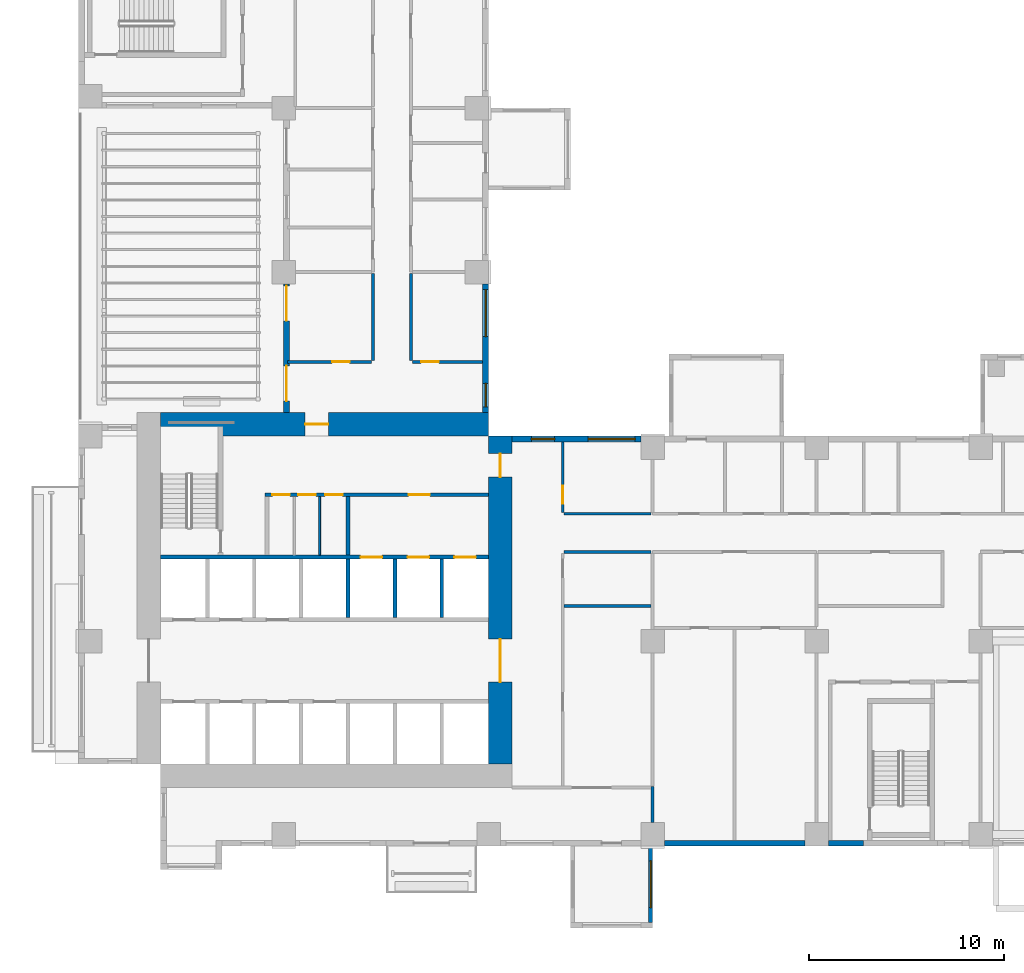
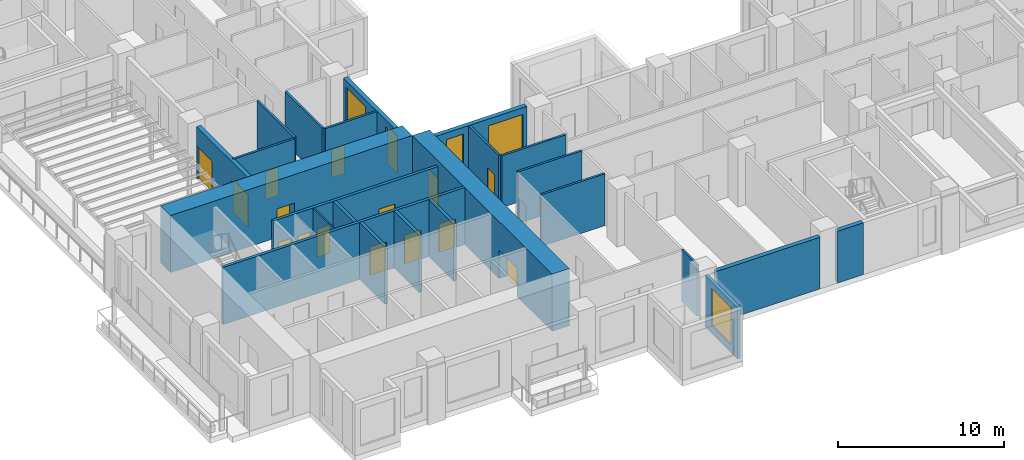
# One storey, part 5 of 17: 24 walls, 15 doors, 5 windows, 20 openings.
"""IFC4 building model written with IfcOpenShell, lengths in metres."""

import ifcopenshell
import ifcopenshell.guid

model = None  # the IFC model being written
_history = None  # IfcOwnerHistory: only IFC2X3 demands one
_inside = {}  # id of a spatial element -> (the spatial element, [elements in it])
_under = {}  # id of a project, library or spatial element -> (it, [spatial elements below it])
_declared = {}  # id of a project -> (the project, [libraries it declares])
_typed = {}  # id of a type object -> (the type object, [elements of that type])
_made_of = {}  # id of a material, layer set ... -> (it, [elements and type objects made of it])


def new_model(schema):
    """Start an empty IFC model of exactly this schema.

    Asked for "IFC4X3", IfcOpenShell would pick the latest addendum, in which some entities
    have other attributes; the version numbers below select the first issue.
    IFC2X3 requires an IfcOwnerHistory on every rooted entity: one is made here for all.
    """
    global model, _history
    if schema == "IFC4X3":
        model = ifcopenshell.file(schema_version=(4, 3, 0, 0))
    else:
        model = ifcopenshell.file(schema=schema)
    _inside.clear()
    _under.clear()
    _declared.clear()
    _typed.clear()
    _made_of.clear()
    _history = None
    if model.schema == "IFC2X3":
        org = make("IfcOrganization", Name="unknown")
        user = make(
            "IfcPersonAndOrganization",
            ThePerson=make("IfcPerson", FamilyName="unknown"),
            TheOrganization=org,
        )
        app = make(
            "IfcApplication",
            ApplicationDeveloper=org,
            Version="unknown",
            ApplicationFullName="unknown",
            ApplicationIdentifier="unknown",
        )
        _history = make(
            "IfcOwnerHistory",
            OwningUser=user,
            OwningApplication=app,
            ChangeAction="ADDED",
            CreationDate=0,
        )
    return model


def make(cls, **values):
    """One entity of the class cls with the attributes given. An attribute that is None is left unset."""
    return model.create_entity(
        cls, **{name: value for name, value in values.items() if value is not None}
    )


def rooted(cls, **values):
    """An entity with a GlobalId (a new one), such as an element, a storey or a relation."""
    return make(cls, GlobalId=ifcopenshell.guid.new(), OwnerHistory=_history, **values)


def si_unit(unit_type, name, prefix=None):
    """IfcSIUnit, for example si_unit("LENGTHUNIT", "METRE", prefix="MILLI")."""
    return make("IfcSIUnit", UnitType=unit_type, Prefix=prefix, Name=name)


def assignment(units):
    """IfcUnitAssignment: the units of a project."""
    return None if units is None else make("IfcUnitAssignment", Units=units)


def point(xyz):
    """IfcCartesianPoint."""
    return None if xyz is None else make("IfcCartesianPoint", Coordinates=xyz)


def direction(xyz):
    """IfcDirection."""
    return None if xyz is None else make("IfcDirection", DirectionRatios=xyz)


def frame(location, z_axis=None, x_axis=None):
    """IfcAxis2Placement3D, a coordinate frame: its origin and axes. An axis left out is left unset."""
    return make(
        "IfcAxis2Placement3D",
        Location=point(location),
        Axis=direction(z_axis),
        RefDirection=direction(x_axis),
    )


def frame_2d(location, x_axis=None):
    """IfcAxis2Placement2D, a coordinate frame in the plane: its origin and x axis."""
    return make(
        "IfcAxis2Placement2D", Location=point(location), RefDirection=direction(x_axis)
    )


def origin():
    """The frame at (0, 0, 0) with its axes left unset."""
    return frame((0.0, 0.0, 0.0))


def place(relative_to, where):
    """IfcLocalPlacement: puts the frame where relative to a parent placement (None: the world)."""
    return make(
        "IfcLocalPlacement", PlacementRelTo=relative_to, RelativePlacement=where
    )


def context(
    kind, dimensions, precision=None, world=None, true_north=None, identifier=None
):
    """IfcGeometricRepresentationContext, for example the 3D "Model" context."""
    return make(
        "IfcGeometricRepresentationContext",
        ContextIdentifier=identifier,
        ContextType=kind,
        CoordinateSpaceDimension=dimensions,
        Precision=precision,
        WorldCoordinateSystem=world,
        TrueNorth=true_north,
    )


def subcontext(parent, identifier, kind, view, scale=None):
    """IfcGeometricRepresentationSubContext, for example "Body" below "Model"."""
    return make(
        "IfcGeometricRepresentationSubContext",
        ContextIdentifier=identifier,
        ContextType=kind,
        ParentContext=parent,
        TargetScale=scale,
        TargetView=view,
    )


def project(units=None, contexts=None):
    """IfcProject with its units and contexts."""
    return rooted(
        "IfcProject",
        Name="project",
        RepresentationContexts=contexts,
        UnitsInContext=assignment(units),
    )


def spatial(cls, under=None, at=None, **own):
    """A site, building, storey or space (cls), placed at a placement, below another one or the project."""
    s = rooted(cls, ObjectPlacement=at, **own)
    if under is not None:
        _under.setdefault(under.id(), (under, []))[1].append(s)
    return s


def profile(cls, at=None, kind="AREA", **sizes):
    """A parametric profile (cls). Its sizes go by their IFC names, for example OverallWidth=200.0."""
    return make(cls, ProfileType=kind, Position=at, **sizes)


def rectangle(**sizes):
    """IfcRectangleProfileDef."""
    return profile("IfcRectangleProfileDef", **sizes)


def extrude(swept, where, along, depth):
    """IfcExtrudedAreaSolid: the profile swept, set in the frame where, extruded along a direction by depth."""
    return make(
        "IfcExtrudedAreaSolid",
        SweptArea=swept,
        Position=where,
        ExtrudedDirection=direction(along),
        Depth=depth,
    )


def shape(context_of_items, identifier, shape_type, items):
    """IfcShapeRepresentation: the items that make up one representation, for example the "Body"."""
    return make(
        "IfcShapeRepresentation",
        ContextOfItems=context_of_items,
        RepresentationIdentifier=identifier,
        RepresentationType=shape_type,
        Items=items,
    )


def source(mapping_origin, context_of_items, identifier, shape_type, items):
    """IfcRepresentationMap: a shape defined once, which mapped items show again and again."""
    return make(
        "IfcRepresentationMap",
        MappingOrigin=mapping_origin,
        MappedRepresentation=shape(context_of_items, identifier, shape_type, items),
    )


def transform(
    local_origin,
    x_axis=None,
    y_axis=None,
    z_axis=None,
    scale=None,
    scale2=None,
    scale3=None,
    uniform=True,
):
    """IfcCartesianTransformationOperator3D, or its non-uniform kind. x_axis, y_axis, z_axis: its Axis1, 2, 3."""
    if uniform:
        return make(
            "IfcCartesianTransformationOperator3D",
            Axis1=direction(x_axis),
            Axis2=direction(y_axis),
            LocalOrigin=point(local_origin),
            Scale=scale,
            Axis3=direction(z_axis),
        )
    return make(
        "IfcCartesianTransformationOperator3DnonUniform",
        Axis1=direction(x_axis),
        Axis2=direction(y_axis),
        LocalOrigin=point(local_origin),
        Scale=scale,
        Axis3=direction(z_axis),
        Scale2=scale2,
        Scale3=scale3,
    )


def mapped(mapping_source, mapping_target):
    """IfcMappedItem: shows the shape of a source again, moved by a transform."""
    return make(
        "IfcMappedItem", MappingSource=mapping_source, MappingTarget=mapping_target
    )


def material(Name=None, Category=None):
    """IfcMaterial."""
    return make("IfcMaterial", Name=Name, Category=Category)


def layer(
    of_material, thickness, ventilated=None, Name=None, Category=None, Priority=None
):
    """IfcMaterialLayer: one layer of a wall or slab, of a material (None: an air gap)."""
    return make(
        "IfcMaterialLayer",
        Material=of_material,
        LayerThickness=thickness,
        IsVentilated=ventilated,
        Name=Name,
        Category=Category,
        Priority=Priority,
    )


def layer_set(layers, Name=None):
    """IfcMaterialLayerSet."""
    return make("IfcMaterialLayerSet", MaterialLayers=layers, LayerSetName=Name)


def made_of(thing, what):
    """Note that an element or type object is made of a material, layer set ...; save() writes the relation."""
    if what is not None:
        _made_of.setdefault(what.id(), (what, []))[1].append(thing)
    return thing


def type_object(cls, material=None, **own):
    """A type object (cls), such as IfcWallType, which elements share."""
    return made_of(rooted(cls, **own), material)


def element(
    cls,
    number,
    at=None,
    inside=None,
    cuts=None,
    type_object=None,
    material=None,
    context=None,
    identifier="Body",
    shape_type=None,
    held_by="IfcProductDefinitionShape",
    body=None,
    shapes=None,
    **own,
):
    """One element of the class cls, such as IfcWall. Its Tag is "e" and its number.

    at: its placement. inside: the storey or other place that contains it. cuts: it is an
    opening in that element (IfcRelVoidsElement). A single representation is given by context,
    identifier, shape_type and body (its items); several are given by shapes. held_by: the class
    of the entity that holds the representations. save() writes the other relations.
    """
    e = rooted(cls, Tag="e%d" % number, ObjectPlacement=at, **own)
    if body is not None:
        shapes = [shape(context, identifier, shape_type, body)]
    if shapes is not None:
        e.Representation = make(held_by, Representations=shapes)
    if inside is not None:
        _inside.setdefault(inside.id(), (inside, []))[1].append(e)
    if cuts is not None:
        rooted(
            "IfcRelVoidsElement", RelatingBuildingElement=cuts, RelatedOpeningElement=e
        )
    if type_object is not None:
        _typed.setdefault(type_object.id(), (type_object, []))[1].append(e)
    return made_of(e, material)


def fill(opening, filler):
    """IfcRelFillsElement: the door or window that sits in an opening."""
    return rooted(
        "IfcRelFillsElement",
        RelatingOpeningElement=opening,
        RelatedBuildingElement=filler,
    )


def aggregate(whole, parts):
    """IfcRelAggregates: a whole, such as a stair, and the parts it consists of."""
    return rooted("IfcRelAggregates", RelatingObject=whole, RelatedObjects=parts)


def save(model, path):
    """Write the relations noted so far, then the file.

    IfcRelAggregates (storeys below a building ...), IfcRelContainedInSpatialStructure (elements
    in a storey), IfcRelDefinesByType, IfcRelAssociatesMaterial and IfcRelDeclares: one each for
    every whole, place, type object, material and project.
    """
    for whole, parts in _under.values():
        aggregate(whole, parts)
    for where, things in _inside.values():
        rooted(
            "IfcRelContainedInSpatialStructure",
            RelatedElements=things,
            RelatingStructure=where,
        )
    for kind, things in _typed.values():
        rooted("IfcRelDefinesByType", RelatedObjects=things, RelatingType=kind)
    for what, things in _made_of.values():
        rooted("IfcRelAssociatesMaterial", RelatedObjects=things, RelatingMaterial=what)
    for by, libraries in _declared.values():
        rooted("IfcRelDeclares", RelatingContext=by, RelatedDefinitions=libraries)
    model.write(path)


model = new_model("IFC4")

# Units and contexts
model_context = context("Model", 3, precision=1e-05, world=origin(), true_north=direction((0.0, 1.0)))
body_context = subcontext(model_context, "Body", "Model", "MODEL_VIEW")
ifc_project = project(units=[si_unit("LENGTHUNIT", "METRE"), si_unit("AREAUNIT", "SQUARE_METRE"), si_unit("VOLUMEUNIT", "CUBIC_METRE"), si_unit("PLANEANGLEUNIT", "RADIAN"), si_unit("MASSUNIT", "GRAM", prefix="KILO")], contexts=[model_context])

# Site, building, storey
site_placement = place(None, origin())
site = spatial("IfcSite", under=ifc_project, at=site_placement, CompositionType="ELEMENT")
building_placement = place(site_placement, origin())
building = spatial("IfcBuilding", under=site, at=building_placement, Name="Aurelian Terraces", CompositionType="ELEMENT")
storey_placement = place(building_placement, frame((0.0, 0.0, 69.9)))
storey = spatial("IfcBuildingStorey", under=building, at=storey_placement, Name="L14", CompositionType="ELEMENT", Elevation=69.9)

# Wall, openings, doors
ifc_material_1 = material(Name="Concrete fc' 83 MPa", Category="concrete")
ifc_layer_1 = layer(ifc_material_1, 1.2)
ifc_layer_set_1 = layer_set([ifc_layer_1], Name="CORE WALL 1200 FC83")
wall_type_1 = type_object("IfcWallType", Name="CORE WALL 1200 FC83", PredefinedType="SHEAR", material=ifc_layer_set_1)
shared_shape_1 = source(origin(), body_context, "Body", "SweptSolid", [
    extrude(rectangle(XDim=16.8, YDim=1.2, at=frame_2d((8.4, 0.0))), origin(), (0.0, 0.0, 1.0), 4.2),
])
wall_1_placement = place(storey_placement, frame((21.6, 4.2, 0.0), z_axis=(0.0, 0.0, 1.0), x_axis=(0.0, 1.0, 0.0)))
wall_1 = element("IfcWall", 1, at=wall_1_placement, inside=storey, type_object=wall_type_1, Name="Core wall E L14", PredefinedType="SHEAR", context=body_context, shape_type="MappedRepresentation", body=[
    mapped(shared_shape_1, transform((0.0, 0.0, 0.0), scale=1.0)),
])
shared_shape_2 = source(origin(), body_context, "Body", "SweptSolid", [
    extrude(rectangle(XDim=2.2, YDim=2.1, at=frame_2d((1.1, 1.05))), frame((0.0, 0.61, 0.0), z_axis=(0.0, -1.0, 0.0), x_axis=(1.0, 0.0, 0.0)), (0.0, 0.0, 1.0), 1.22),
])
opening_1_placement = place(wall_1_placement, frame((4.2, 0.0, 0.0)))
opening_1 = element("IfcOpeningElement", 2, at=opening_1_placement, cuts=wall_1, Name="Opening 61721", PredefinedType="OPENING", context=body_context, shape_type="MappedRepresentation", body=[
    mapped(shared_shape_2, transform((0.0, 0.0, 0.0), scale=1.0)),
])
shared_shape_3 = source(origin(), body_context, "Body", "SweptSolid", [
    extrude(rectangle(XDim=1.2, YDim=2.1, at=frame_2d((0.6, 1.05))), frame((0.0, 0.61, 0.0), z_axis=(0.0, -1.0, 0.0), x_axis=(1.0, 0.0, 0.0)), (0.0, 0.0, 1.0), 1.22),
])
opening_2_placement = place(wall_1_placement, frame((14.7, 0.0, 0.0)))
opening_2 = element("IfcOpeningElement", 3, at=opening_2_placement, cuts=wall_1, Name="Opening 61724", PredefinedType="OPENING", context=body_context, shape_type="MappedRepresentation", body=[
    mapped(shared_shape_3, transform((0.0, 0.0, 0.0), scale=1.0)),
])
ifc_material_2 = material(Name="Steel door leaf", Category="steel")
door_type_1 = type_object("IfcDoorType", Name="Core fire door 1200x2100", OperationType="SINGLE_SWING_LEFT", PredefinedType="DOOR", material=ifc_material_2)
shared_shape_4 = source(origin(), body_context, "Body", "SweptSolid", [
    extrude(rectangle(XDim=1.2, YDim=2.1, at=frame_2d((0.6, 1.05))), frame((0.0, 0.025, 0.0), z_axis=(0.0, -1.0, 0.0), x_axis=(1.0, 0.0, 0.0)), (0.0, 0.0, 1.0), 0.05),
])
door_1_placement = place(opening_2_placement, origin())
door_1 = element("IfcDoor", 4, at=door_1_placement, inside=storey, type_object=door_type_1, Name="Core door 61724", OperationType="SINGLE_SWING_LEFT", OverallHeight=2.1, OverallWidth=1.2, PredefinedType="DOOR", context=body_context, shape_type="MappedRepresentation", body=[
    mapped(shared_shape_4, transform((0.0, 0.0, 0.0), scale=1.0)),
])
fill(opening_2, door_1)
door_type_2 = type_object("IfcDoorType", Name="Core double door 2200x2100", OperationType="DOUBLE_DOOR_SINGLE_SWING", PredefinedType="DOOR", material=ifc_material_2)
shared_shape_5 = source(origin(), body_context, "Body", "SweptSolid", [
    extrude(rectangle(XDim=2.2, YDim=2.1, at=frame_2d((1.1, 1.05))), frame((0.0, 0.025, 0.0), z_axis=(0.0, -1.0, 0.0), x_axis=(1.0, 0.0, 0.0)), (0.0, 0.0, 1.0), 0.05),
])
door_2_placement = place(opening_1_placement, origin())
door_2 = element("IfcDoor", 5, at=door_2_placement, inside=storey, type_object=door_type_2, Name="Core door 61721", OperationType="DOUBLE_DOOR_SINGLE_SWING", OverallHeight=2.1, OverallWidth=2.2, PredefinedType="DOOR", context=body_context, shape_type="MappedRepresentation", body=[
    mapped(shared_shape_5, transform((0.0, 0.0, 0.0), scale=1.0)),
])
fill(opening_1, door_2)

# Wall, opening, door
wall_2_placement = place(storey_placement, frame((4.2, 21.6, 0.0), z_axis=(0.0, 0.0, 1.0), x_axis=(1.0, 0.0, 0.0)))
wall_2 = element("IfcWall", 6, at=wall_2_placement, inside=storey, type_object=wall_type_1, Name="Core wall N L14", PredefinedType="SHEAR", context=body_context, shape_type="MappedRepresentation", body=[
    mapped(shared_shape_1, transform((0.0, 0.0, 0.0), scale=1.0)),
])
opening_3_placement = place(wall_2_placement, frame((7.4, 0.0, 0.0)))
opening_3 = element("IfcOpeningElement", 7, at=opening_3_placement, cuts=wall_2, Name="Opening 61723", PredefinedType="OPENING", context=body_context, shape_type="MappedRepresentation", body=[
    mapped(shared_shape_3, transform((0.0, 0.0, 0.0), scale=1.0)),
])
door_type_3 = type_object("IfcDoorType", Name="Core fire door 1200x2100 right", OperationType="SINGLE_SWING_RIGHT", PredefinedType="DOOR", material=ifc_material_2)
door_3_placement = place(opening_3_placement, origin())
door_3 = element("IfcDoor", 8, at=door_3_placement, inside=storey, type_object=door_type_3, Name="Core door 61723", OperationType="SINGLE_SWING_RIGHT", OverallHeight=2.1, OverallWidth=1.2, PredefinedType="DOOR", context=body_context, shape_type="MappedRepresentation", body=[
    mapped(shared_shape_4, transform((0.0, 0.0, 0.0), scale=1.0)),
])
fill(opening_3, door_3)

# Walls
ifc_material_3 = material(Name="Terracotta rainscreen cladding", Category="masonry")
ifc_layer_2 = layer(ifc_material_3, 0.3)
ifc_layer_set_2 = layer_set([ifc_layer_2], Name="EW-300")
wall_type_2 = type_object("IfcWallType", Name="EW-300", PredefinedType="STANDARD", material=ifc_layer_set_2)
shared_shape_6 = source(origin(), body_context, "Body", "SweptSolid", [
    extrude(rectangle(XDim=7.2, YDim=0.3, at=frame_2d((3.6, 0.0))), origin(), (0.0, 0.0, 1.0), 3.8),
])
wall_3_placement = place(storey_placement, frame((30.0, 0.15, 0.0), z_axis=(0.0, 0.0, 1.0), x_axis=(1.0, 0.0, 0.0)))
element("IfcWall", 9, at=wall_3_placement, inside=storey, type_object=wall_type_2, Name="External wall L14 F01.6", PredefinedType="STANDARD", context=body_context, shape_type="MappedRepresentation", body=[
    mapped(shared_shape_6, transform((0.0, 0.0, 0.0), scale=1.0)),
])
shared_shape_7 = source(origin(), body_context, "Body", "SweptSolid", [
    extrude(rectangle(XDim=1.8, YDim=0.3, at=frame_2d((0.9, 0.0))), origin(), (0.0, 0.0, 1.0), 3.8),
])
wall_4_placement = place(storey_placement, frame((38.4, 0.15, 0.0), z_axis=(0.0, 0.0, 1.0), x_axis=(1.0, 0.0, 0.0)))
element("IfcWall", 10, at=wall_4_placement, inside=storey, type_object=wall_type_2, Name="External wall L14 F01.7", PredefinedType="STANDARD", context=body_context, shape_type="MappedRepresentation", body=[
    mapped(shared_shape_7, transform((0.0, 0.0, 0.0), scale=1.0)),
])

# Wall, opening, window
ifc_material_4 = material(Name="Concrete fc' 40 MPa", Category="concrete")
ifc_layer_3 = layer(ifc_material_4, 0.2)
ifc_layer_set_3 = layer_set([ifc_layer_3], Name="BOX BEARING WALL 200")
wall_type_3 = type_object("IfcWallType", Name="BOX BEARING WALL 200", PredefinedType="SOLIDWALL", material=ifc_layer_set_3)
shared_shape_8 = source(origin(), body_context, "Body", "SweptSolid", [
    extrude(rectangle(XDim=3.9, YDim=0.2, at=frame_2d((1.95, 0.0))), origin(), (0.0, 0.0, 1.0), 3.8),
])
wall_5_placement = place(storey_placement, frame((29.3, 0.0, 0.0), z_axis=(0.0, 0.0, 1.0), x_axis=(0.0, -1.0, 0.0)))
wall_5 = element("IfcWall", 11, at=wall_5_placement, inside=storey, type_object=wall_type_3, Name="Box return L14 J12.2", PredefinedType="SOLIDWALL", context=body_context, shape_type="MappedRepresentation", body=[
    mapped(shared_shape_8, transform((0.0, 0.0, 0.0), scale=1.0)),
])
shared_shape_9 = source(origin(), body_context, "Body", "SweptSolid", [
    extrude(rectangle(XDim=2.4, YDim=2.7, at=frame_2d((1.2, 1.35))), frame((0.0, 0.11, 0.0), z_axis=(0.0, -1.0, 0.0), x_axis=(1.0, 0.0, 0.0)), (0.0, 0.0, 1.0), 0.22),
])
opening_4_placement = place(wall_5_placement, frame((0.75, 0.0, 0.6)))
opening_4 = element("IfcOpeningElement", 12, at=opening_4_placement, cuts=wall_5, Name="Opening W2427", PredefinedType="OPENING", context=body_context, shape_type="MappedRepresentation", body=[
    mapped(shared_shape_9, transform((0.0, 0.0, 0.0), scale=1.0)),
])
ifc_material_5 = material(Name="Clear glazing", Category="glass")
window_type_1 = type_object("IfcWindowType", Name="W-2400x2700", PartitioningType="SINGLE_PANEL", PredefinedType="WINDOW", material=ifc_material_5)
shared_shape_10 = source(origin(), body_context, "Body", "SweptSolid", [
    extrude(rectangle(XDim=2.4, YDim=2.7, at=frame_2d((1.2, 1.35))), frame((0.0, 0.03, 0.0), z_axis=(0.0, -1.0, 0.0), x_axis=(1.0, 0.0, 0.0)), (0.0, 0.0, 1.0), 0.06),
])
window_1_placement = place(opening_4_placement, origin())
window_1 = element("IfcWindow", 13, at=window_1_placement, inside=storey, type_object=window_type_1, Name="Window L14 J12-S2", OverallHeight=2.7, OverallWidth=2.4, PartitioningType="SINGLE_PANEL", PredefinedType="WINDOW", context=body_context, shape_type="MappedRepresentation", body=[
    mapped(shared_shape_10, transform((0.0, 0.0, 0.0), scale=1.0)),
])
fill(opening_4, window_1)

# Wall, openings, windows
shared_shape_11 = source(origin(), body_context, "Body", "SweptSolid", [
    extrude(rectangle(XDim=6.6, YDim=0.3, at=frame_2d((3.3, 0.0))), origin(), (0.0, 0.0, 1.0), 3.8),
])
wall_6_placement = place(storey_placement, frame((28.8, 20.85, 0.0), z_axis=(0.0, 0.0, 1.0), x_axis=(-1.0, 0.0, 0.0)))
wall_6 = element("IfcWall", 14, at=wall_6_placement, inside=storey, type_object=wall_type_2, Name="External wall L14 F07.21", PredefinedType="STANDARD", context=body_context, shape_type="MappedRepresentation", body=[
    mapped(shared_shape_11, transform((0.0, 0.0, 0.0), scale=1.0)),
])
shared_shape_12 = source(origin(), body_context, "Body", "SweptSolid", [
    extrude(rectangle(XDim=2.4, YDim=2.7, at=frame_2d((1.2, 1.35))), frame((0.0, 0.16, 0.0), z_axis=(0.0, -1.0, 0.0), x_axis=(1.0, 0.0, 0.0)), (0.0, 0.0, 1.0), 0.32),
])
opening_5_placement = place(wall_6_placement, frame((0.3, 0.0, 0.6)))
opening_5 = element("IfcOpeningElement", 15, at=opening_5_placement, cuts=wall_6, Name="Opening W2427", PredefinedType="OPENING", context=body_context, shape_type="MappedRepresentation", body=[
    mapped(shared_shape_12, transform((0.0, 0.0, 0.0), scale=1.0)),
])
shared_shape_13 = source(origin(), body_context, "Body", "SweptSolid", [
    extrude(rectangle(XDim=1.2, YDim=2.7, at=frame_2d((0.6, 1.35))), frame((0.0, 0.16, 0.0), z_axis=(0.0, -1.0, 0.0), x_axis=(1.0, 0.0, 0.0)), (0.0, 0.0, 1.0), 0.32),
])
opening_6_placement = place(wall_6_placement, frame((4.4125, 0.0, 0.6)))
opening_6 = element("IfcOpeningElement", 16, at=opening_6_placement, cuts=wall_6, Name="Opening W1227", PredefinedType="OPENING", context=body_context, shape_type="MappedRepresentation", body=[
    mapped(shared_shape_13, transform((0.0, 0.0, 0.0), scale=1.0)),
])
window_2_placement = place(opening_5_placement, origin())
window_2 = element("IfcWindow", 17, at=window_2_placement, inside=storey, type_object=window_type_1, Name="Window L14 L14-F07-21-3", OverallHeight=2.7, OverallWidth=2.4, PartitioningType="SINGLE_PANEL", PredefinedType="WINDOW", context=body_context, shape_type="MappedRepresentation", body=[
    mapped(shared_shape_10, transform((0.0, 0.0, 0.0), scale=1.0)),
])
fill(opening_5, window_2)
window_type_2 = type_object("IfcWindowType", Name="W-1200x2700", PartitioningType="SINGLE_PANEL", PredefinedType="WINDOW", material=ifc_material_5)
shared_shape_14 = source(origin(), body_context, "Body", "SweptSolid", [
    extrude(rectangle(XDim=1.2, YDim=2.7, at=frame_2d((0.6, 1.35))), frame((0.0, 0.03, 0.0), z_axis=(0.0, -1.0, 0.0), x_axis=(1.0, 0.0, 0.0)), (0.0, 0.0, 1.0), 0.06),
])
window_3_placement = place(opening_6_placement, origin())
window_3 = element("IfcWindow", 18, at=window_3_placement, inside=storey, type_object=window_type_2, Name="Window L14 L14-F07-21-G2-201", OverallHeight=2.7, OverallWidth=1.2, PartitioningType="SINGLE_PANEL", PredefinedType="WINDOW", context=body_context, shape_type="MappedRepresentation", body=[
    mapped(shared_shape_14, transform((0.0, 0.0, 0.0), scale=1.0)),
])
fill(opening_6, window_3)

wall_7_placement = place(storey_placement, frame((20.85, 22.2, 0.0), z_axis=(0.0, 0.0, 1.0), x_axis=(0.0, 1.0, 0.0)))
wall_7 = element("IfcWall", 19, at=wall_7_placement, inside=storey, type_object=wall_type_2, Name="External wall L14 F08.22", PredefinedType="STANDARD", context=body_context, shape_type="MappedRepresentation", body=[
    mapped(shared_shape_11, transform((0.0, 0.0, 0.0), scale=1.0)),
])
opening_7_placement = place(wall_7_placement, frame((0.3, 0.0, 0.6)))
opening_7 = element("IfcOpeningElement", 20, at=opening_7_placement, cuts=wall_7, Name="Opening W1227", PredefinedType="OPENING", context=body_context, shape_type="MappedRepresentation", body=[
    mapped(shared_shape_13, transform((0.0, 0.0, 0.0), scale=1.0)),
])
opening_8_placement = place(wall_7_placement, frame((3.9, 0.0, 0.6)))
opening_8 = element("IfcOpeningElement", 21, at=opening_8_placement, cuts=wall_7, Name="Opening W2427", PredefinedType="OPENING", context=body_context, shape_type="MappedRepresentation", body=[
    mapped(shared_shape_12, transform((0.0, 0.0, 0.0), scale=1.0)),
])
window_4_placement = place(opening_8_placement, origin())
window_4 = element("IfcWindow", 22, at=window_4_placement, inside=storey, type_object=window_type_1, Name="Window L14 L14-F08-22-1", OverallHeight=2.7, OverallWidth=2.4, PartitioningType="SINGLE_PANEL", PredefinedType="WINDOW", context=body_context, shape_type="MappedRepresentation", body=[
    mapped(shared_shape_10, transform((0.0, 0.0, 0.0), scale=1.0)),
])
fill(opening_8, window_4)
window_5_placement = place(opening_7_placement, origin())
window_5 = element("IfcWindow", 23, at=window_5_placement, inside=storey, type_object=window_type_2, Name="Window L14 L14-F08-22-0", OverallHeight=2.7, OverallWidth=1.2, PartitioningType="SINGLE_PANEL", PredefinedType="WINDOW", context=body_context, shape_type="MappedRepresentation", body=[
    mapped(shared_shape_14, transform((0.0, 0.0, 0.0), scale=1.0)),
])
fill(opening_7, window_5)

# Wall, openings, doors
wall_8_placement = place(storey_placement, frame((10.65, 28.8, 0.0), z_axis=(0.0, 0.0, 1.0), x_axis=(0.0, -1.0, 0.0)))
wall_8 = element("IfcWall", 24, at=wall_8_placement, inside=storey, type_object=wall_type_2, Name="External wall L14 F16.38", PredefinedType="STANDARD", context=body_context, shape_type="MappedRepresentation", body=[
    mapped(shared_shape_11, transform((0.0, 0.0, 0.0), scale=1.0)),
])
shared_shape_15 = source(origin(), body_context, "Body", "SweptSolid", [
    extrude(rectangle(XDim=1.8, YDim=2.4, at=frame_2d((0.9, 1.2))), frame((0.0, 0.16, 0.0), z_axis=(0.0, -1.0, 0.0), x_axis=(1.0, 0.0, 0.0)), (0.0, 0.0, 1.0), 0.32),
])
opening_9_placement = place(wall_8_placement, frame((0.1, 0.0, 0.0)))
opening_9 = element("IfcOpeningElement", 25, at=opening_9_placement, cuts=wall_8, Name="Opening 81405", PredefinedType="OPENING", context=body_context, shape_type="MappedRepresentation", body=[
    mapped(shared_shape_15, transform((0.0, 0.0, 0.0), scale=1.0)),
])
opening_10_placement = place(wall_8_placement, frame((4.2, 0.0, 0.0)))
opening_10 = element("IfcOpeningElement", 26, at=opening_10_placement, cuts=wall_8, Name="Opening 81406", PredefinedType="OPENING", context=body_context, shape_type="MappedRepresentation", body=[
    mapped(shared_shape_15, transform((0.0, 0.0, 0.0), scale=1.0)),
])
door_type_4 = type_object("IfcDoorType", Name="BD-1800x2400", OperationType="SLIDING_TO_LEFT", PredefinedType="DOOR", material=ifc_material_5)
shared_shape_16 = source(origin(), body_context, "Body", "SweptSolid", [
    extrude(rectangle(XDim=1.8, YDim=2.4, at=frame_2d((0.9, 1.2))), frame((0.0, 0.025, 0.0), z_axis=(0.0, -1.0, 0.0), x_axis=(1.0, 0.0, 0.0)), (0.0, 0.0, 1.0), 0.05),
])
door_4_placement = place(opening_9_placement, origin())
door_4 = element("IfcDoor", 27, at=door_4_placement, inside=storey, type_object=door_type_4, Name="Terrace door L14 L14-F16-38.3", OperationType="SLIDING_TO_LEFT", OverallHeight=2.4, OverallWidth=1.8, PredefinedType="DOOR", context=body_context, shape_type="MappedRepresentation", body=[
    mapped(shared_shape_16, transform((0.0, 0.0, 0.0), scale=1.0)),
])
fill(opening_9, door_4)
door_5_placement = place(opening_10_placement, origin())
door_5 = element("IfcDoor", 28, at=door_5_placement, inside=storey, type_object=door_type_4, Name="Terrace door L14 L14-F16-38.4", OperationType="SLIDING_TO_LEFT", OverallHeight=2.4, OverallWidth=1.8, PredefinedType="DOOR", context=body_context, shape_type="MappedRepresentation", body=[
    mapped(shared_shape_16, transform((0.0, 0.0, 0.0), scale=1.0)),
])
fill(opening_10, door_5)

# Walls
ifc_layer_4 = layer(ifc_material_4, 0.2)
ifc_layer_set_4 = layer_set([ifc_layer_4], Name="Lift shaft wall 200")
wall_type_4 = type_object("IfcWallType", Name="Lift shaft wall 200", PredefinedType="SOLIDWALL", material=ifc_layer_set_4)
shared_shape_17 = source(origin(), body_context, "Body", "SweptSolid", [
    extrude(rectangle(XDim=3.0, YDim=0.2, at=frame_2d((1.5, 0.0))), origin(), (0.0, 0.0, 1.0), 4.2),
])
for number, where, z_axis, x_axis, name in (
    (29, (13.8, 11.7, 0.0), (0.0, 0.0, 1.0), (0.0, 1.0, 0.0), "L14 core wall CD-B4"),
    (30, (16.2, 11.7, 0.0), (0.0, 0.0, 1.0), (0.0, 1.0, 0.0), "L14 core wall CD-B5"),
    (31, (18.6, 11.7, 0.0), (0.0, 0.0, 1.0), (0.0, 1.0, 0.0), "L14 core wall CD-B6"),
):
    element("IfcWall", number, at=place(storey_placement, frame(where, z_axis=z_axis, x_axis=x_axis)), inside=storey, type_object=wall_type_4, Name=name, PredefinedType="SOLIDWALL", context=body_context, shape_type="MappedRepresentation", body=[
        mapped(shared_shape_17, transform((0.0, 0.0, 0.0), scale=1.0)),
    ])

# Wall, openings, doors
shared_shape_18 = source(origin(), body_context, "Body", "SweptSolid", [
    extrude(rectangle(XDim=16.8, YDim=0.2, at=frame_2d((8.4, 0.0))), origin(), (0.0, 0.0, 1.0), 4.2),
])
wall_9_placement = place(storey_placement, frame((4.2, 14.8, 0.0), z_axis=(0.0, 0.0, 1.0), x_axis=(1.0, 0.0, 0.0)))
wall_9 = element("IfcWall", 32, at=wall_9_placement, inside=storey, type_object=wall_type_4, Name="L14 core wall CF-BB1", PredefinedType="SOLIDWALL", context=body_context, shape_type="MappedRepresentation", body=[
    mapped(shared_shape_18, transform((0.0, 0.0, 0.0), scale=1.0)),
])
shared_shape_19 = source(origin(), body_context, "Body", "SweptSolid", [
    extrude(rectangle(XDim=1.1, YDim=2.1, at=frame_2d((0.55, 1.05))), frame((0.0, 0.11, 0.0), z_axis=(0.0, -1.0, 0.0), x_axis=(1.0, 0.0, 0.0)), (0.0, 0.0, 1.0), 0.22),
])
opening_11_placement = place(wall_9_placement, frame((10.25, 0.0, 0.0)))
opening_11 = element("IfcOpeningElement", 33, at=opening_11_placement, cuts=wall_9, Name="Opening 61707", PredefinedType="OPENING", context=body_context, shape_type="MappedRepresentation", body=[
    mapped(shared_shape_19, transform((0.0, 0.0, 0.0), scale=1.0)),
])
opening_12_placement = place(wall_9_placement, frame((12.65, 0.0, 0.0)))
opening_12 = element("IfcOpeningElement", 34, at=opening_12_placement, cuts=wall_9, Name="Opening 61708", PredefinedType="OPENING", context=body_context, shape_type="MappedRepresentation", body=[
    mapped(shared_shape_19, transform((0.0, 0.0, 0.0), scale=1.0)),
])
opening_13_placement = place(wall_9_placement, frame((15.05, 0.0, 0.0)))
opening_13 = element("IfcOpeningElement", 35, at=opening_13_placement, cuts=wall_9, Name="Opening 61709", PredefinedType="OPENING", context=body_context, shape_type="MappedRepresentation", body=[
    mapped(shared_shape_19, transform((0.0, 0.0, 0.0), scale=1.0)),
])
ifc_material_6 = material(Name="Stainless steel", Category="steel")
door_type_5 = type_object("IfcDoorType", Name="Lift landing door 1100x2100", OperationType="SLIDING_TO_LEFT", PredefinedType="DOOR", material=ifc_material_6)
shared_shape_20 = source(origin(), body_context, "Body", "SweptSolid", [
    extrude(rectangle(XDim=1.1, YDim=2.1, at=frame_2d((0.55, 1.05))), frame((0.0, 0.025, 0.0), z_axis=(0.0, -1.0, 0.0), x_axis=(1.0, 0.0, 0.0)), (0.0, 0.0, 1.0), 0.05),
])
door_6_placement = place(opening_11_placement, origin())
door_6 = element("IfcDoor", 36, at=door_6_placement, inside=storey, type_object=door_type_5, Name="Lift landing door F1 L14", OperationType="SLIDING_TO_LEFT", OverallHeight=2.1, OverallWidth=1.1, PredefinedType="DOOR", context=body_context, shape_type="MappedRepresentation", body=[
    mapped(shared_shape_20, transform((0.0, 0.0, 0.0), scale=1.0)),
])
fill(opening_11, door_6)
door_7_placement = place(opening_12_placement, origin())
door_7 = element("IfcDoor", 37, at=door_7_placement, inside=storey, type_object=door_type_5, Name="Lift landing door F2 L14", OperationType="SLIDING_TO_LEFT", OverallHeight=2.1, OverallWidth=1.1, PredefinedType="DOOR", context=body_context, shape_type="MappedRepresentation", body=[
    mapped(shared_shape_20, transform((0.0, 0.0, 0.0), scale=1.0)),
])
fill(opening_12, door_7)
door_8_placement = place(opening_13_placement, origin())
door_8 = element("IfcDoor", 38, at=door_8_placement, inside=storey, type_object=door_type_5, Name="Lift landing door F3 L14", OperationType="SLIDING_TO_LEFT", OverallHeight=2.1, OverallWidth=1.1, PredefinedType="DOOR", context=body_context, shape_type="MappedRepresentation", body=[
    mapped(shared_shape_20, transform((0.0, 0.0, 0.0), scale=1.0)),
])
fill(opening_13, door_8)

# Walls
ifc_material_7 = material(Name="Gypsum board on steel studs", Category="steel")
ifc_layer_5 = layer(ifc_material_7, 0.2)
ifc_layer_set_5 = layer_set([ifc_layer_5], Name="Core partition 200")
wall_type_5 = type_object("IfcWallType", Name="Core partition 200", PredefinedType="PARTITIONING", material=ifc_layer_set_5)
shared_shape_21 = source(origin(), body_context, "Body", "SweptSolid", [
    extrude(rectangle(XDim=3.0, YDim=0.2, at=frame_2d((1.5, 0.0))), origin(), (0.0, 0.0, 1.0), 3.8),
])
wall_10_placement = place(storey_placement, frame((13.8, 14.9, 0.0), z_axis=(0.0, 0.0, 1.0), x_axis=(0.0, 1.0, 0.0)))
element("IfcWall", 39, at=wall_10_placement, inside=storey, type_object=wall_type_5, Name="L14 core wall CP-FFL", PredefinedType="PARTITIONING", context=body_context, shape_type="MappedRepresentation", body=[
    mapped(shared_shape_21, transform((0.0, 0.0, 0.0), scale=1.0)),
])
ifc_layer_6 = layer(ifc_material_7, 0.1)
ifc_layer_set_6 = layer_set([ifc_layer_6], Name="Core partition 100")
wall_type_6 = type_object("IfcWallType", Name="Core partition 100", PredefinedType="PARTITIONING", material=ifc_layer_set_6)
shared_shape_22 = source(origin(), body_context, "Body", "SweptSolid", [
    extrude(rectangle(XDim=3.0, YDim=0.1, at=frame_2d((1.5, 0.0))), origin(), (0.0, 0.0, 1.0), 3.8),
])
wall_11_placement = place(storey_placement, frame((12.35, 14.9, 0.0), z_axis=(0.0, 0.0, 1.0), x_axis=(0.0, 1.0, 0.0)))
element("IfcWall", 40, at=wall_11_placement, inside=storey, type_object=wall_type_6, Name="L14 core wall CP-SV2", PredefinedType="PARTITIONING", context=body_context, shape_type="MappedRepresentation", body=[
    mapped(shared_shape_22, transform((0.0, 0.0, 0.0), scale=1.0)),
])

# Wall, openings, doors
shared_shape_23 = source(origin(), body_context, "Body", "SweptSolid", [
    extrude(rectangle(XDim=11.45, YDim=0.2, at=frame_2d((5.725, 0.0))), origin(), (0.0, 0.0, 1.0), 3.8),
])
wall_12_placement = place(storey_placement, frame((9.55, 18.0, 0.0), z_axis=(0.0, 0.0, 1.0), x_axis=(1.0, 0.0, 0.0)))
wall_12 = element("IfcWall", 41, at=wall_12_placement, inside=storey, type_object=wall_type_5, Name="L14 core wall CP-NORTH", PredefinedType="PARTITIONING", context=body_context, shape_type="MappedRepresentation", body=[
    mapped(shared_shape_23, transform((0.0, 0.0, 0.0), scale=1.0)),
])
shared_shape_24 = source(origin(), body_context, "Body", "SweptSolid", [
    extrude(rectangle(XDim=0.9, YDim=2.1, at=frame_2d((0.45, 1.05))), frame((0.0, 0.11, 0.0), z_axis=(0.0, -1.0, 0.0), x_axis=(1.0, 0.0, 0.0)), (0.0, 0.0, 1.0), 0.22),
])
opening_14_placement = place(wall_12_placement, frame((0.375, 0.0, 0.0)))
opening_14 = element("IfcOpeningElement", 42, at=opening_14_placement, cuts=wall_12, Name="Opening 61711", PredefinedType="OPENING", context=body_context, shape_type="MappedRepresentation", body=[
    mapped(shared_shape_24, transform((0.0, 0.0, 0.0), scale=1.0)),
])
opening_15_placement = place(wall_12_placement, frame((1.7, 0.0, 0.0)))
opening_15 = element("IfcOpeningElement", 43, at=opening_15_placement, cuts=wall_12, Name="Opening 61712", PredefinedType="OPENING", context=body_context, shape_type="MappedRepresentation", body=[
    mapped(shared_shape_24, transform((0.0, 0.0, 0.0), scale=1.0)),
])
opening_16_placement = place(wall_12_placement, frame((3.075, 0.0, 0.0)))
opening_16 = element("IfcOpeningElement", 44, at=opening_16_placement, cuts=wall_12, Name="Opening 61713", PredefinedType="OPENING", context=body_context, shape_type="MappedRepresentation", body=[
    mapped(shared_shape_24, transform((0.0, 0.0, 0.0), scale=1.0)),
])
opening_17_placement = place(wall_12_placement, frame((7.35, 0.0, 0.0)))
opening_17 = element("IfcOpeningElement", 45, at=opening_17_placement, cuts=wall_12, Name="Opening 61714", PredefinedType="OPENING", context=body_context, shape_type="MappedRepresentation", body=[
    mapped(shared_shape_19, transform((0.0, 0.0, 0.0), scale=1.0)),
])
door_type_6 = type_object("IfcDoorType", Name="Core riser door 900x2100", OperationType="SINGLE_SWING_LEFT", PredefinedType="DOOR", material=ifc_material_2)
shared_shape_25 = source(origin(), body_context, "Body", "SweptSolid", [
    extrude(rectangle(XDim=0.9, YDim=2.1, at=frame_2d((0.45, 1.05))), frame((0.0, 0.025, 0.0), z_axis=(0.0, -1.0, 0.0), x_axis=(1.0, 0.0, 0.0)), (0.0, 0.0, 1.0), 0.05),
])
door_9_placement = place(opening_14_placement, origin())
door_9 = element("IfcDoor", 46, at=door_9_placement, inside=storey, type_object=door_type_6, Name="Room door 61711", OperationType="SINGLE_SWING_LEFT", OverallHeight=2.1, OverallWidth=0.9, PredefinedType="DOOR", context=body_context, shape_type="MappedRepresentation", body=[
    mapped(shared_shape_25, transform((0.0, 0.0, 0.0), scale=1.0)),
])
fill(opening_14, door_9)
door_type_7 = type_object("IfcDoorType", Name="Core service door 900x2100 right", OperationType="SINGLE_SWING_RIGHT", PredefinedType="DOOR", material=ifc_material_2)
door_10_placement = place(opening_15_placement, origin())
door_10 = element("IfcDoor", 47, at=door_10_placement, inside=storey, type_object=door_type_7, Name="Room door 61712", OperationType="SINGLE_SWING_RIGHT", OverallHeight=2.1, OverallWidth=0.9, PredefinedType="DOOR", context=body_context, shape_type="MappedRepresentation", body=[
    mapped(shared_shape_25, transform((0.0, 0.0, 0.0), scale=1.0)),
])
fill(opening_15, door_10)
door_type_8 = type_object("IfcDoorType", Name="Core service door 900x2100", OperationType="SINGLE_SWING_LEFT", PredefinedType="DOOR", material=ifc_material_2)
door_11_placement = place(opening_16_placement, origin())
door_11 = element("IfcDoor", 48, at=door_11_placement, inside=storey, type_object=door_type_8, Name="Room door 61713", OperationType="SINGLE_SWING_LEFT", OverallHeight=2.1, OverallWidth=0.9, PredefinedType="DOOR", context=body_context, shape_type="MappedRepresentation", body=[
    mapped(shared_shape_25, transform((0.0, 0.0, 0.0), scale=1.0)),
])
fill(opening_16, door_11)
door_type_9 = type_object("IfcDoorType", Name="Core fire door 1100x2100 right", OperationType="SINGLE_SWING_RIGHT", PredefinedType="DOOR", material=ifc_material_2)
door_12_placement = place(opening_17_placement, origin())
door_12 = element("IfcDoor", 49, at=door_12_placement, inside=storey, type_object=door_type_9, Name="Ff lobby door 61714", OperationType="SINGLE_SWING_RIGHT", OverallHeight=2.1, OverallWidth=1.1, PredefinedType="DOOR", context=body_context, shape_type="MappedRepresentation", body=[
    mapped(shared_shape_20, transform((0.0, 0.0, 0.0), scale=1.0)),
])
fill(opening_17, door_12)

# Wall, opening, door
ifc_layer_7 = layer(ifc_material_7, 0.15)
ifc_layer_set_7 = layer_set([ifc_layer_7], Name="Partition 150")
wall_type_7 = type_object("IfcWallType", Name="Partition 150", PredefinedType="PARTITIONING", material=ifc_layer_set_7)
shared_shape_26 = source(origin(), body_context, "Body", "SweptSolid", [
    extrude(rectangle(XDim=3.6, YDim=0.15, at=frame_2d((1.8, 0.0))), origin(), (0.0, 0.0, 1.0), 3.8),
])
wall_13_placement = place(storey_placement, frame((24.8, 20.7, 0.0), z_axis=(0.0, 0.0, 1.0), x_axis=(0.0, -1.0, 0.0)))
wall_13 = element("IfcWall", 50, at=wall_13_placement, inside=storey, type_object=wall_type_7, Name="Partition", PredefinedType="PARTITIONING", context=body_context, shape_type="MappedRepresentation", body=[
    mapped(shared_shape_26, transform((0.0, 0.0, 0.0), scale=1.0)),
])
shared_shape_27 = source(origin(), body_context, "Body", "SweptSolid", [
    extrude(rectangle(XDim=0.9, YDim=2.1, at=frame_2d((0.45, 1.05))), frame((0.0, 0.085, 0.0), z_axis=(0.0, -1.0, 0.0), x_axis=(1.0, 0.0, 0.0)), (0.0, 0.0, 1.0), 0.17),
])
opening_18_placement = place(wall_13_placement, frame((2.25, 0.0, 0.0)))
opening_18 = element("IfcOpeningElement", 51, at=opening_18_placement, cuts=wall_13, Name="Opening 714003", PredefinedType="OPENING", context=body_context, shape_type="MappedRepresentation", body=[
    mapped(shared_shape_27, transform((0.0, 0.0, 0.0), scale=1.0)),
])
ifc_material_8 = material(Name="Timber door leaf", Category="wood")
door_type_10 = type_object("IfcDoorType", Name="Room door 900x2100 left", OperationType="SINGLE_SWING_LEFT", PredefinedType="DOOR", material=ifc_material_8)
door_13_placement = place(opening_18_placement, origin())
door_13 = element("IfcDoor", 52, at=door_13_placement, inside=storey, type_object=door_type_10, Name="Door 714003", OperationType="SINGLE_SWING_LEFT", OverallHeight=2.1, OverallWidth=0.9, PredefinedType="DOOR", context=body_context, shape_type="MappedRepresentation", body=[
    mapped(shared_shape_25, transform((0.0, 0.0, 0.0), scale=1.0)),
])
fill(opening_18, door_13)

wall_14_placement = place(storey_placement, frame((17.1, 24.8, 0.0), z_axis=(0.0, 0.0, 1.0), x_axis=(1.0, 0.0, 0.0)))
wall_14 = element("IfcWall", 53, at=wall_14_placement, inside=storey, type_object=wall_type_7, Name="Partition", PredefinedType="PARTITIONING", context=body_context, shape_type="MappedRepresentation", body=[
    mapped(shared_shape_26, transform((0.0, 0.0, 0.0), scale=1.0)),
])
opening_19_placement = place(wall_14_placement, frame((0.45, 0.0, 0.0)))
opening_19 = element("IfcOpeningElement", 54, at=opening_19_placement, cuts=wall_14, Name="Opening 714031", PredefinedType="OPENING", context=body_context, shape_type="MappedRepresentation", body=[
    mapped(shared_shape_27, transform((0.0, 0.0, 0.0), scale=1.0)),
])
door_14_placement = place(opening_19_placement, origin())
door_14 = element("IfcDoor", 55, at=door_14_placement, inside=storey, type_object=door_type_10, Name="Door 714031", OperationType="SINGLE_SWING_LEFT", OverallHeight=2.1, OverallWidth=0.9, PredefinedType="DOOR", context=body_context, shape_type="MappedRepresentation", body=[
    mapped(shared_shape_25, transform((0.0, 0.0, 0.0), scale=1.0)),
])
fill(opening_19, door_14)

# Wall
shared_shape_28 = source(origin(), body_context, "Body", "SweptSolid", [
    extrude(rectangle(XDim=1.856, YDim=0.15, at=frame_2d((0.928, 0.0))), origin(), (0.0, 0.0, 1.0), 3.8),
])
wall_15_placement = place(storey_placement, frame((29.4, 1.199, 0.0), z_axis=(0.0, 0.0, 1.0), x_axis=(0.0, 1.0, 0.0)))
element("IfcWall", 56, at=wall_15_placement, inside=storey, type_object=wall_type_7, Name="Partition", PredefinedType="PARTITIONING", context=body_context, shape_type="MappedRepresentation", body=[
    mapped(shared_shape_28, transform((0.0, 0.0, 0.0), scale=1.0)),
])

# Wall, opening, door
shared_shape_29 = source(origin(), body_context, "Body", "SweptSolid", [
    extrude(rectangle(XDim=4.295, YDim=0.15, at=frame_2d((2.1475, 0.0))), origin(), (0.0, 0.0, 1.0), 3.8),
])
wall_16_placement = place(storey_placement, frame((10.705, 24.8, 0.0), z_axis=(0.0, 0.0, 1.0), x_axis=(1.0, 0.0, 0.0)))
wall_16 = element("IfcWall", 57, at=wall_16_placement, inside=storey, type_object=wall_type_7, Name="Partition", PredefinedType="PARTITIONING", context=body_context, shape_type="MappedRepresentation", body=[
    mapped(shared_shape_29, transform((0.0, 0.0, 0.0), scale=1.0)),
])
opening_20_placement = place(wall_16_placement, frame((2.2825, 0.0, 0.0)))
opening_20 = element("IfcOpeningElement", 58, at=opening_20_placement, cuts=wall_16, Name="Opening 714030", PredefinedType="OPENING", context=body_context, shape_type="MappedRepresentation", body=[
    mapped(shared_shape_27, transform((0.0, 0.0, 0.0), scale=1.0)),
])
door_type_11 = type_object("IfcDoorType", Name="Room door 900x2100 right", OperationType="SINGLE_SWING_RIGHT", PredefinedType="DOOR", material=ifc_material_8)
door_15_placement = place(opening_20_placement, origin())
door_15 = element("IfcDoor", 59, at=door_15_placement, inside=storey, type_object=door_type_11, Name="Door 714030", OperationType="SINGLE_SWING_RIGHT", OverallHeight=2.1, OverallWidth=0.9, PredefinedType="DOOR", context=body_context, shape_type="MappedRepresentation", body=[
    mapped(shared_shape_25, transform((0.0, 0.0, 0.0), scale=1.0)),
])
fill(opening_20, door_15)

# Walls
shared_shape_30 = source(origin(), body_context, "Body", "SweptSolid", [
    extrude(rectangle(XDim=4.45, YDim=0.15, at=frame_2d((2.225, 0.0))), origin(), (0.0, 0.0, 1.0), 3.8),
])
wall_17_placement = place(storey_placement, frame((29.325, 12.3, 0.0), z_axis=(0.0, 0.0, 1.0), x_axis=(-1.0, 0.0, 0.0)))
element("IfcWall", 60, at=wall_17_placement, inside=storey, type_object=wall_type_7, Name="Partition", PredefinedType="PARTITIONING", context=body_context, shape_type="MappedRepresentation", body=[
    mapped(shared_shape_30, transform((0.0, 0.0, 0.0), scale=1.0)),
])
ifc_layer_8 = layer(ifc_material_7, 0.15)
ifc_layer_set_8 = layer_set([ifc_layer_8], Name="Fire partition 150")
wall_type_8 = type_object("IfcWallType", Name="Fire partition 150", PredefinedType="PARTITIONING", material=ifc_layer_set_8)
for number, where, z_axis, x_axis, name in (
    (61, (29.325, 15.075, 0.0), (0.0, 0.0, 1.0), (-1.0, 0.0, 0.0), "Corridor wall"),
    (62, (24.875, 17.025, 0.0), (0.0, 0.0, 1.0), (1.0, 0.0, 0.0), "Corridor wall"),
    (63, (15.075, 24.875, 0.0), (0.0, 0.0, 1.0), (0.0, 1.0, 0.0), "Corridor wall"),
    (64, (17.025, 29.325, 0.0), (0.0, 0.0, 1.0), (0.0, -1.0, 0.0), "Corridor wall"),
):
    element("IfcWall", number, at=place(storey_placement, frame(where, z_axis=z_axis, x_axis=x_axis)), inside=storey, type_object=wall_type_8, Name=name, PredefinedType="PARTITIONING", context=body_context, shape_type="MappedRepresentation", body=[
        mapped(shared_shape_30, transform((0.0, 0.0, 0.0), scale=1.0)),
    ])

save(model, "model.ifc")
